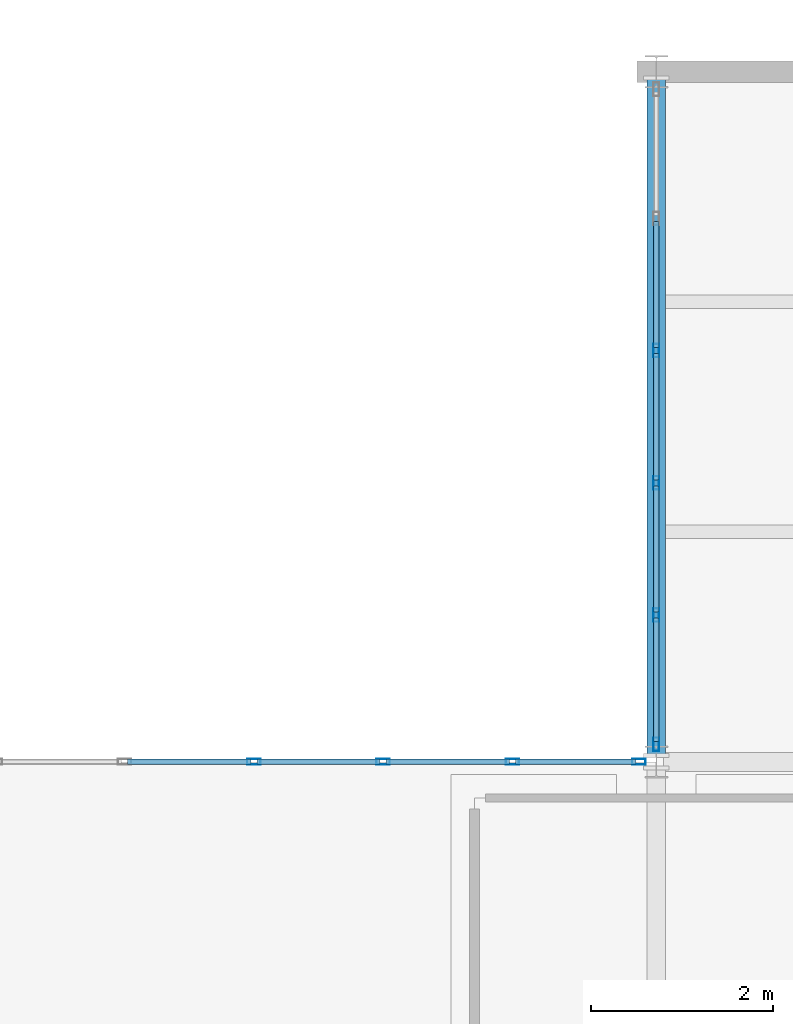
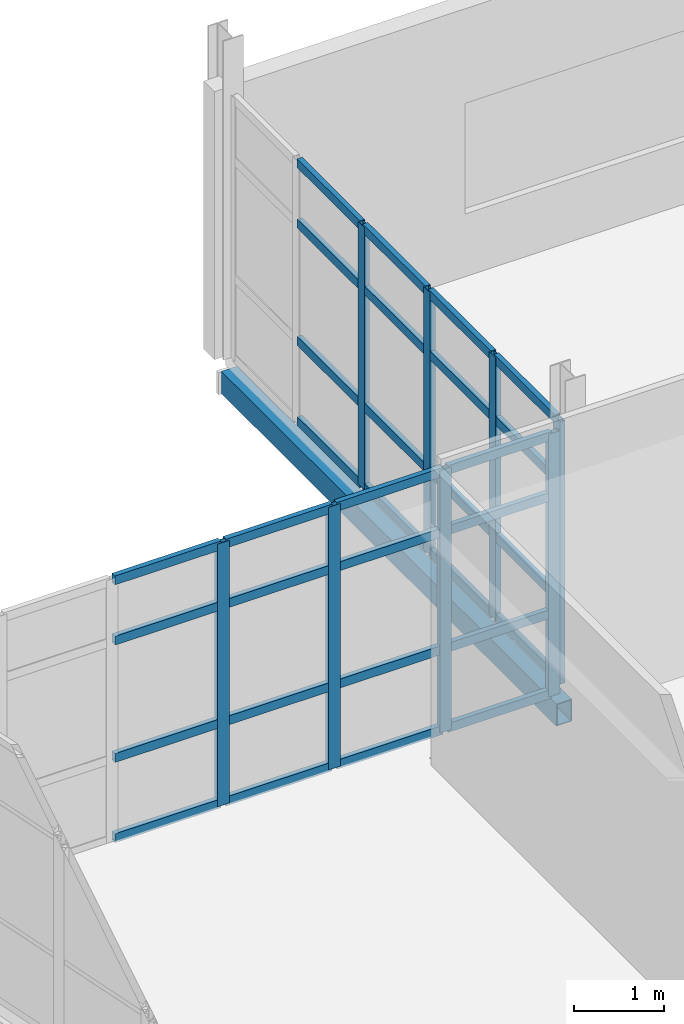
# One storey, part 107 of 174: 40 members, 1 beam, 2 elements without a shape of their own.
"""IFC4 building model written with IfcOpenShell, lengths in metres."""

from ifc_helpers import new_model, si_unit, direction, frame, origin, origin_2d, place, context, subcontext, project, spatial, hollow_rectangle, extrude, material, material_profile, profile_set, type_object, element, aggregate, save


model = new_model("IFC4")

# Units and contexts
model_context = context("Model", 3, precision=1e-05, world=origin(), true_north=direction((0.0, 1.0)))
body_context = subcontext(model_context, "Body", "Model", "MODEL_VIEW")
ifc_project = project(units=[si_unit("LENGTHUNIT", "METRE"), si_unit("AREAUNIT", "SQUARE_METRE"), si_unit("VOLUMEUNIT", "CUBIC_METRE"), si_unit("PLANEANGLEUNIT", "RADIAN"), si_unit("MASSUNIT", "GRAM", prefix="KILO")], contexts=[model_context])

# Site, building, storey
site_placement = place(None, origin())
site = spatial("IfcSite", under=ifc_project, at=site_placement, CompositionType="ELEMENT")
building_placement = place(site_placement, origin())
building = spatial("IfcBuilding", under=site, at=building_placement, Name="Caisbarro Railhouse Central Library", CompositionType="ELEMENT")
storey_placement = place(building_placement, frame((0.0, 0.0, 5.0400390625)))
storey = spatial("IfcBuildingStorey", under=building, at=storey_placement, Name="L01", CompositionType="ELEMENT", Elevation=5.0400390625)

# Beam
ifc_material_1 = material(Name="Steel ASTM A572 Grade 50", Category="steel")
ifc_material_profile_1 = material_profile(ifc_material_1, hollow_rectangle(XDim=0.199951171875, YDim=0.300048828125, WallThickness=0.012451171875, at=origin_2d()), Name="HSS300X200X12.5")
ifc_profile_set_1 = profile_set([ifc_material_profile_1], Name="Steel ASTM A572 Grade 50")
beam_type = type_object("IfcBeamType", Name="BM-SP02", PredefinedType="SPANDREL", material=ifc_profile_set_1)
beam_placement = place(storey_placement, frame((117.0, 106.47998046875, -0.3701171875), z_axis=(0.0, 1.0, 0.0), x_axis=(-1.0, 0.0, 0.0)))
element("IfcBeam", 1, at=beam_placement, inside=storey, type_object=beam_type, Name="SP02 beam L01 #937", PredefinedType="SPANDREL", context=body_context, shape_type="SweptSolid", body=[
    extrude(hollow_rectangle(XDim=0.199951171875, YDim=0.300048828125, WallThickness=0.012451171875, at=origin_2d()), origin(), (0.0, 0.0, 1.0), 7.43994140625),
])

# Curtain wall, members
ifc_material_2 = material(Name="Anodised architectural aluminium", Category="aluminium")
curtain_wall_type = type_object("IfcCurtainWallType", Name="CW-CW03", PredefinedType="NOTDEFINED", material=ifc_material_2)
curtain_wall_1_placement = place(storey_placement, origin())
curtain_wall_1 = element("IfcCurtainWall", 2, at=curtain_wall_1_placement, inside=storey, type_object=curtain_wall_type, Name="CW03 curtain wall L01 #115", PredefinedType="NOTDEFINED")
ifc_material_profile_2 = material_profile(ifc_material_2, hollow_rectangle(XDim=0.06494140625, YDim=0.14990234375, WallThickness=0.00390625, at=origin_2d()), Name="ALU-MUL-65X150")
ifc_profile_set_2 = profile_set([ifc_material_profile_2], Name="Anodised architectural aluminium")
member_type_1 = type_object("IfcMemberType", Name="CWM-M02", PredefinedType="MULLION", material=ifc_profile_set_2)
member_1_placement = place(storey_placement, frame((112.568115234375, 106.39990234375, 0.0), z_axis=(0.0, 0.0, 1.0), x_axis=(0.0, 1.0, 0.0)))
member_1 = element("IfcMember", 3, at=member_1_placement, type_object=member_type_1, Name="CW03 mullion 4", PredefinedType="MULLION", context=body_context, shape_type="SweptSolid", body=[
    extrude(hollow_rectangle(XDim=0.06494140625, YDim=0.14990234375, WallThickness=0.00390625, at=origin_2d()), origin(), (0.0, 0.0, 1.0), 3.56005859375),
])
member_2_placement = place(storey_placement, frame((113.991943359375, 106.39990234375, 0.0), z_axis=(0.0, 0.0, 1.0), x_axis=(0.0, 1.0, 0.0)))
member_2 = element("IfcMember", 4, at=member_2_placement, type_object=member_type_1, Name="CW03 mullion 5", PredefinedType="MULLION", context=body_context, shape_type="SweptSolid", body=[
    extrude(hollow_rectangle(XDim=0.06494140625, YDim=0.14990234375, WallThickness=0.00390625, at=origin_2d()), origin(), (0.0, 0.0, 1.0), 3.56005859375),
])
member_3_placement = place(storey_placement, frame((115.416015625, 106.39990234375, 0.0), z_axis=(0.0, 0.0, 1.0), x_axis=(0.0, 1.0, 0.0)))
member_3 = element("IfcMember", 5, at=member_3_placement, type_object=member_type_1, Name="CW03 mullion 6", PredefinedType="MULLION", context=body_context, shape_type="SweptSolid", body=[
    extrude(hollow_rectangle(XDim=0.06494140625, YDim=0.14990234375, WallThickness=0.00390625, at=origin_2d()), origin(), (0.0, 0.0, 1.0), 3.56005859375),
])
member_4_placement = place(storey_placement, frame((116.8076171875, 106.39990234375, 0.0), z_axis=(0.0, 0.0, 1.0), x_axis=(0.0, 1.0, 0.0)))
member_4 = element("IfcMember", 6, at=member_4_placement, type_object=member_type_1, Name="CW03 mullion 7", PredefinedType="MULLION", context=body_context, shape_type="SweptSolid", body=[
    extrude(hollow_rectangle(XDim=0.06494140625, YDim=0.14990234375, WallThickness=0.00390625, at=origin_2d()), origin(), (0.0, 0.0, 1.0), 3.56005859375),
])

curtain_wall_2_placement = place(storey_placement, origin())
curtain_wall_2 = element("IfcCurtainWall", 7, at=curtain_wall_2_placement, inside=storey, type_object=curtain_wall_type, Name="CW03 curtain wall L01 #116", PredefinedType="NOTDEFINED")
member_5_placement = place(storey_placement, frame((117.0, 106.592529296875, 0.0), z_axis=(0.0, 0.0, 1.0), x_axis=(-1.0, 0.0, 0.0)))
member_5 = element("IfcMember", 8, at=member_5_placement, type_object=member_type_1, Name="CW03 mullion 1", PredefinedType="MULLION", context=body_context, shape_type="SweptSolid", body=[
    extrude(hollow_rectangle(XDim=0.06494140625, YDim=0.14990234375, WallThickness=0.00390625, at=origin_2d()), origin(), (0.0, 0.0, 1.0), 3.56005859375),
])
member_6_placement = place(storey_placement, frame((117.0, 108.01611328125, 0.0), z_axis=(0.0, 0.0, 1.0), x_axis=(-1.0, 0.0, 0.0)))
member_6 = element("IfcMember", 9, at=member_6_placement, type_object=member_type_1, Name="CW03 mullion 2", PredefinedType="MULLION", context=body_context, shape_type="SweptSolid", body=[
    extrude(hollow_rectangle(XDim=0.06494140625, YDim=0.14990234375, WallThickness=0.00390625, at=origin_2d()), origin(), (0.0, 0.0, 1.0), 3.56005859375),
])
member_7_placement = place(storey_placement, frame((117.0, 109.471923828125, 0.0), z_axis=(0.0, 0.0, 1.0), x_axis=(-1.0, 0.0, 0.0)))
member_7 = element("IfcMember", 10, at=member_7_placement, type_object=member_type_1, Name="CW03 mullion 3", PredefinedType="MULLION", context=body_context, shape_type="SweptSolid", body=[
    extrude(hollow_rectangle(XDim=0.06494140625, YDim=0.14990234375, WallThickness=0.00390625, at=origin_2d()), origin(), (0.0, 0.0, 1.0), 3.56005859375),
])
member_8_placement = place(storey_placement, frame((117.0, 110.927978515625, 0.0), z_axis=(0.0, 0.0, 1.0), x_axis=(-1.0, 0.0, 0.0)))
member_8 = element("IfcMember", 11, at=member_8_placement, type_object=member_type_1, Name="CW03 mullion 4", PredefinedType="MULLION", context=body_context, shape_type="SweptSolid", body=[
    extrude(hollow_rectangle(XDim=0.06494140625, YDim=0.14990234375, WallThickness=0.00390625, at=origin_2d()), origin(), (0.0, 0.0, 1.0), 3.56005859375),
])

# Member
ifc_material_profile_3 = material_profile(ifc_material_2, hollow_rectangle(XDim=0.06494140625, YDim=0.1201171875, WallThickness=0.00341796875, at=origin_2d()), Name="ALU-TRN-65X120")
ifc_profile_set_3 = profile_set([ifc_material_profile_3], Name="Anodised architectural aluminium")
member_type_2 = type_object("IfcMemberType", Name="CWT-T02", PredefinedType="USERDEFINED", material=ifc_profile_set_3)
member_9_placement = place(storey_placement, frame((111.176513671875, 106.39990234375, 0.032470703125), z_axis=(1.0, 0.0, 0.0), x_axis=(0.0, 1.0, 0.0)))
member_9 = element("IfcMember", 12, at=member_9_placement, type_object=member_type_2, Name="CW03 transom 3.1", ObjectType="TRANSOM", PredefinedType="USERDEFINED", context=body_context, shape_type="SweptSolid", body=[
    extrude(hollow_rectangle(XDim=0.06494140625, YDim=0.1201171875, WallThickness=0.00341796875, at=origin_2d()), origin(), (0.0, 0.0, 1.0), 1.35888671875),
])

member_10_placement = place(storey_placement, frame((111.176513671875, 106.39990234375, 1.119873046875), z_axis=(1.0, 0.0, 0.0), x_axis=(0.0, 1.0, 0.0)))
member_10 = element("IfcMember", 13, at=member_10_placement, type_object=member_type_2, Name="CW03 transom 3.2", ObjectType="TRANSOM", PredefinedType="USERDEFINED", context=body_context, shape_type="SweptSolid", body=[
    extrude(hollow_rectangle(XDim=0.06494140625, YDim=0.1201171875, WallThickness=0.00341796875, at=origin_2d()), origin(), (0.0, 0.0, 1.0), 1.35888671875),
])

member_11_placement = place(storey_placement, frame((111.176513671875, 106.39990234375, 2.7099609375), z_axis=(1.0, 0.0, 0.0), x_axis=(0.0, 1.0, 0.0)))
member_11 = element("IfcMember", 14, at=member_11_placement, type_object=member_type_2, Name="CW03 transom 3.3", ObjectType="TRANSOM", PredefinedType="USERDEFINED", context=body_context, shape_type="SweptSolid", body=[
    extrude(hollow_rectangle(XDim=0.06494140625, YDim=0.1201171875, WallThickness=0.00341796875, at=origin_2d()), origin(), (0.0, 0.0, 1.0), 1.35888671875),
])

member_12_placement = place(storey_placement, frame((111.176513671875, 106.39990234375, 3.52734375), z_axis=(1.0, 0.0, 0.0), x_axis=(0.0, 1.0, 0.0)))
member_12 = element("IfcMember", 15, at=member_12_placement, type_object=member_type_2, Name="CW03 transom 3.4", ObjectType="TRANSOM", PredefinedType="USERDEFINED", context=body_context, shape_type="SweptSolid", body=[
    extrude(hollow_rectangle(XDim=0.06494140625, YDim=0.1201171875, WallThickness=0.00341796875, at=origin_2d()), origin(), (0.0, 0.0, 1.0), 1.35888671875),
])

member_13_placement = place(storey_placement, frame((112.6005859375, 106.39990234375, 0.032470703125), z_axis=(1.0, 0.0, 0.0), x_axis=(0.0, 1.0, 0.0)))
member_13 = element("IfcMember", 16, at=member_13_placement, type_object=member_type_2, Name="CW03 transom 4.1", ObjectType="TRANSOM", PredefinedType="USERDEFINED", context=body_context, shape_type="SweptSolid", body=[
    extrude(hollow_rectangle(XDim=0.06494140625, YDim=0.1201171875, WallThickness=0.00341796875, at=origin_2d()), origin(), (0.0, 0.0, 1.0), 1.35888671875),
])

member_14_placement = place(storey_placement, frame((112.6005859375, 106.39990234375, 1.119873046875), z_axis=(1.0, 0.0, 0.0), x_axis=(0.0, 1.0, 0.0)))
member_14 = element("IfcMember", 17, at=member_14_placement, type_object=member_type_2, Name="CW03 transom 4.2", ObjectType="TRANSOM", PredefinedType="USERDEFINED", context=body_context, shape_type="SweptSolid", body=[
    extrude(hollow_rectangle(XDim=0.06494140625, YDim=0.1201171875, WallThickness=0.00341796875, at=origin_2d()), origin(), (0.0, 0.0, 1.0), 1.35888671875),
])

member_15_placement = place(storey_placement, frame((112.6005859375, 106.39990234375, 2.7099609375), z_axis=(1.0, 0.0, 0.0), x_axis=(0.0, 1.0, 0.0)))
member_15 = element("IfcMember", 18, at=member_15_placement, type_object=member_type_2, Name="CW03 transom 4.3", ObjectType="TRANSOM", PredefinedType="USERDEFINED", context=body_context, shape_type="SweptSolid", body=[
    extrude(hollow_rectangle(XDim=0.06494140625, YDim=0.1201171875, WallThickness=0.00341796875, at=origin_2d()), origin(), (0.0, 0.0, 1.0), 1.35888671875),
])

member_16_placement = place(storey_placement, frame((112.6005859375, 106.39990234375, 3.52734375), z_axis=(1.0, 0.0, 0.0), x_axis=(0.0, 1.0, 0.0)))
member_16 = element("IfcMember", 19, at=member_16_placement, type_object=member_type_2, Name="CW03 transom 4.4", ObjectType="TRANSOM", PredefinedType="USERDEFINED", context=body_context, shape_type="SweptSolid", body=[
    extrude(hollow_rectangle(XDim=0.06494140625, YDim=0.1201171875, WallThickness=0.00341796875, at=origin_2d()), origin(), (0.0, 0.0, 1.0), 1.35888671875),
])

member_17_placement = place(storey_placement, frame((114.0244140625, 106.39990234375, 0.032470703125), z_axis=(1.0, 0.0, 0.0), x_axis=(0.0, 1.0, 0.0)))
member_17 = element("IfcMember", 20, at=member_17_placement, type_object=member_type_2, Name="CW03 transom 5.1", ObjectType="TRANSOM", PredefinedType="USERDEFINED", context=body_context, shape_type="SweptSolid", body=[
    extrude(hollow_rectangle(XDim=0.06494140625, YDim=0.1201171875, WallThickness=0.00341796875, at=origin_2d()), origin(), (0.0, 0.0, 1.0), 1.359130859375),
])

member_18_placement = place(storey_placement, frame((114.0244140625, 106.39990234375, 1.119873046875), z_axis=(1.0, 0.0, 0.0), x_axis=(0.0, 1.0, 0.0)))
member_18 = element("IfcMember", 21, at=member_18_placement, type_object=member_type_2, Name="CW03 transom 5.2", ObjectType="TRANSOM", PredefinedType="USERDEFINED", context=body_context, shape_type="SweptSolid", body=[
    extrude(hollow_rectangle(XDim=0.06494140625, YDim=0.1201171875, WallThickness=0.00341796875, at=origin_2d()), origin(), (0.0, 0.0, 1.0), 1.359130859375),
])

member_19_placement = place(storey_placement, frame((114.0244140625, 106.39990234375, 2.7099609375), z_axis=(1.0, 0.0, 0.0), x_axis=(0.0, 1.0, 0.0)))
member_19 = element("IfcMember", 22, at=member_19_placement, type_object=member_type_2, Name="CW03 transom 5.3", ObjectType="TRANSOM", PredefinedType="USERDEFINED", context=body_context, shape_type="SweptSolid", body=[
    extrude(hollow_rectangle(XDim=0.06494140625, YDim=0.1201171875, WallThickness=0.00341796875, at=origin_2d()), origin(), (0.0, 0.0, 1.0), 1.359130859375),
])

member_20_placement = place(storey_placement, frame((114.0244140625, 106.39990234375, 3.52734375), z_axis=(1.0, 0.0, 0.0), x_axis=(0.0, 1.0, 0.0)))
member_20 = element("IfcMember", 23, at=member_20_placement, type_object=member_type_2, Name="CW03 transom 5.4", ObjectType="TRANSOM", PredefinedType="USERDEFINED", context=body_context, shape_type="SweptSolid", body=[
    extrude(hollow_rectangle(XDim=0.06494140625, YDim=0.1201171875, WallThickness=0.00341796875, at=origin_2d()), origin(), (0.0, 0.0, 1.0), 1.359130859375),
])

member_21_placement = place(storey_placement, frame((115.448486328125, 106.39990234375, 0.032470703125), z_axis=(1.0, 0.0, 0.0), x_axis=(0.0, 1.0, 0.0)))
member_21 = element("IfcMember", 24, at=member_21_placement, type_object=member_type_2, Name="CW03 transom 6.1", ObjectType="TRANSOM", PredefinedType="USERDEFINED", context=body_context, shape_type="SweptSolid", body=[
    extrude(hollow_rectangle(XDim=0.06494140625, YDim=0.1201171875, WallThickness=0.00341796875, at=origin_2d()), origin(), (0.0, 0.0, 1.0), 1.326416015625),
])

member_22_placement = place(storey_placement, frame((115.448486328125, 106.39990234375, 1.119873046875), z_axis=(1.0, 0.0, 0.0), x_axis=(0.0, 1.0, 0.0)))
member_22 = element("IfcMember", 25, at=member_22_placement, type_object=member_type_2, Name="CW03 transom 6.2", ObjectType="TRANSOM", PredefinedType="USERDEFINED", context=body_context, shape_type="SweptSolid", body=[
    extrude(hollow_rectangle(XDim=0.06494140625, YDim=0.1201171875, WallThickness=0.00341796875, at=origin_2d()), origin(), (0.0, 0.0, 1.0), 1.326416015625),
])

member_23_placement = place(storey_placement, frame((115.448486328125, 106.39990234375, 2.7099609375), z_axis=(1.0, 0.0, 0.0), x_axis=(0.0, 1.0, 0.0)))
member_23 = element("IfcMember", 26, at=member_23_placement, type_object=member_type_2, Name="CW03 transom 6.3", ObjectType="TRANSOM", PredefinedType="USERDEFINED", context=body_context, shape_type="SweptSolid", body=[
    extrude(hollow_rectangle(XDim=0.06494140625, YDim=0.1201171875, WallThickness=0.00341796875, at=origin_2d()), origin(), (0.0, 0.0, 1.0), 1.326416015625),
])

member_24_placement = place(storey_placement, frame((115.448486328125, 106.39990234375, 3.52734375), z_axis=(1.0, 0.0, 0.0), x_axis=(0.0, 1.0, 0.0)))
member_24 = element("IfcMember", 27, at=member_24_placement, type_object=member_type_2, Name="CW03 transom 6.4", ObjectType="TRANSOM", PredefinedType="USERDEFINED", context=body_context, shape_type="SweptSolid", body=[
    extrude(hollow_rectangle(XDim=0.06494140625, YDim=0.1201171875, WallThickness=0.00341796875, at=origin_2d()), origin(), (0.0, 0.0, 1.0), 1.326416015625),
])

aggregate(curtain_wall_1, [member_1, member_2, member_3, member_4, member_9, member_10, member_11, member_12, member_13, member_14, member_15, member_16, member_17, member_18, member_19, member_20, member_21, member_22, member_23, member_24])

member_25_placement = place(storey_placement, frame((117.0, 106.625, 0.032470703125), z_axis=(0.0, 1.0, 0.0), x_axis=(-1.0, 0.0, 0.0)))
member_25 = element("IfcMember", 28, at=member_25_placement, type_object=member_type_2, Name="CW03 transom 1.1", ObjectType="TRANSOM", PredefinedType="USERDEFINED", context=body_context, shape_type="SweptSolid", body=[
    extrude(hollow_rectangle(XDim=0.06494140625, YDim=0.1201171875, WallThickness=0.00341796875, at=origin_2d()), origin(), (0.0, 0.0, 1.0), 1.3583984375),
])

member_26_placement = place(storey_placement, frame((117.0, 106.625, 1.119873046875), z_axis=(0.0, 1.0, 0.0), x_axis=(-1.0, 0.0, 0.0)))
member_26 = element("IfcMember", 29, at=member_26_placement, type_object=member_type_2, Name="CW03 transom 1.2", ObjectType="TRANSOM", PredefinedType="USERDEFINED", context=body_context, shape_type="SweptSolid", body=[
    extrude(hollow_rectangle(XDim=0.06494140625, YDim=0.1201171875, WallThickness=0.00341796875, at=origin_2d()), origin(), (0.0, 0.0, 1.0), 1.3583984375),
])

member_27_placement = place(storey_placement, frame((117.0, 106.625, 2.7099609375), z_axis=(0.0, 1.0, 0.0), x_axis=(-1.0, 0.0, 0.0)))
member_27 = element("IfcMember", 30, at=member_27_placement, type_object=member_type_2, Name="CW03 transom 1.3", ObjectType="TRANSOM", PredefinedType="USERDEFINED", context=body_context, shape_type="SweptSolid", body=[
    extrude(hollow_rectangle(XDim=0.06494140625, YDim=0.1201171875, WallThickness=0.00341796875, at=origin_2d()), origin(), (0.0, 0.0, 1.0), 1.3583984375),
])

member_28_placement = place(storey_placement, frame((117.0, 106.625, 3.52734375), z_axis=(0.0, 1.0, 0.0), x_axis=(-1.0, 0.0, 0.0)))
member_28 = element("IfcMember", 31, at=member_28_placement, type_object=member_type_2, Name="CW03 transom 1.4", ObjectType="TRANSOM", PredefinedType="USERDEFINED", context=body_context, shape_type="SweptSolid", body=[
    extrude(hollow_rectangle(XDim=0.06494140625, YDim=0.1201171875, WallThickness=0.00341796875, at=origin_2d()), origin(), (0.0, 0.0, 1.0), 1.3583984375),
])

member_29_placement = place(storey_placement, frame((117.0, 108.048583984375, 0.032470703125), z_axis=(0.0, 1.0, 0.0), x_axis=(-1.0, 0.0, 0.0)))
member_29 = element("IfcMember", 32, at=member_29_placement, type_object=member_type_2, Name="CW03 transom 2.1", ObjectType="TRANSOM", PredefinedType="USERDEFINED", context=body_context, shape_type="SweptSolid", body=[
    extrude(hollow_rectangle(XDim=0.06494140625, YDim=0.1201171875, WallThickness=0.00341796875, at=origin_2d()), origin(), (0.0, 0.0, 1.0), 1.390869140625),
])

member_30_placement = place(storey_placement, frame((117.0, 108.048583984375, 1.119873046875), z_axis=(0.0, 1.0, 0.0), x_axis=(-1.0, 0.0, 0.0)))
member_30 = element("IfcMember", 33, at=member_30_placement, type_object=member_type_2, Name="CW03 transom 2.2", ObjectType="TRANSOM", PredefinedType="USERDEFINED", context=body_context, shape_type="SweptSolid", body=[
    extrude(hollow_rectangle(XDim=0.06494140625, YDim=0.1201171875, WallThickness=0.00341796875, at=origin_2d()), origin(), (0.0, 0.0, 1.0), 1.390869140625),
])

member_31_placement = place(storey_placement, frame((117.0, 108.048583984375, 2.7099609375), z_axis=(0.0, 1.0, 0.0), x_axis=(-1.0, 0.0, 0.0)))
member_31 = element("IfcMember", 34, at=member_31_placement, type_object=member_type_2, Name="CW03 transom 2.3", ObjectType="TRANSOM", PredefinedType="USERDEFINED", context=body_context, shape_type="SweptSolid", body=[
    extrude(hollow_rectangle(XDim=0.06494140625, YDim=0.1201171875, WallThickness=0.00341796875, at=origin_2d()), origin(), (0.0, 0.0, 1.0), 1.390869140625),
])

member_32_placement = place(storey_placement, frame((117.0, 108.048583984375, 3.52734375), z_axis=(0.0, 1.0, 0.0), x_axis=(-1.0, 0.0, 0.0)))
member_32 = element("IfcMember", 35, at=member_32_placement, type_object=member_type_2, Name="CW03 transom 2.4", ObjectType="TRANSOM", PredefinedType="USERDEFINED", context=body_context, shape_type="SweptSolid", body=[
    extrude(hollow_rectangle(XDim=0.06494140625, YDim=0.1201171875, WallThickness=0.00341796875, at=origin_2d()), origin(), (0.0, 0.0, 1.0), 1.390869140625),
])

member_33_placement = place(storey_placement, frame((117.0, 109.50439453125, 0.032470703125), z_axis=(0.0, 1.0, 0.0), x_axis=(-1.0, 0.0, 0.0)))
member_33 = element("IfcMember", 36, at=member_33_placement, type_object=member_type_2, Name="CW03 transom 3.1", ObjectType="TRANSOM", PredefinedType="USERDEFINED", context=body_context, shape_type="SweptSolid", body=[
    extrude(hollow_rectangle(XDim=0.06494140625, YDim=0.1201171875, WallThickness=0.00341796875, at=origin_2d()), origin(), (0.0, 0.0, 1.0), 1.39111328125),
])

member_34_placement = place(storey_placement, frame((117.0, 109.50439453125, 1.119873046875), z_axis=(0.0, 1.0, 0.0), x_axis=(-1.0, 0.0, 0.0)))
member_34 = element("IfcMember", 37, at=member_34_placement, type_object=member_type_2, Name="CW03 transom 3.2", ObjectType="TRANSOM", PredefinedType="USERDEFINED", context=body_context, shape_type="SweptSolid", body=[
    extrude(hollow_rectangle(XDim=0.06494140625, YDim=0.1201171875, WallThickness=0.00341796875, at=origin_2d()), origin(), (0.0, 0.0, 1.0), 1.39111328125),
])

member_35_placement = place(storey_placement, frame((117.0, 109.50439453125, 2.7099609375), z_axis=(0.0, 1.0, 0.0), x_axis=(-1.0, 0.0, 0.0)))
member_35 = element("IfcMember", 38, at=member_35_placement, type_object=member_type_2, Name="CW03 transom 3.3", ObjectType="TRANSOM", PredefinedType="USERDEFINED", context=body_context, shape_type="SweptSolid", body=[
    extrude(hollow_rectangle(XDim=0.06494140625, YDim=0.1201171875, WallThickness=0.00341796875, at=origin_2d()), origin(), (0.0, 0.0, 1.0), 1.39111328125),
])

member_36_placement = place(storey_placement, frame((117.0, 109.50439453125, 3.52734375), z_axis=(0.0, 1.0, 0.0), x_axis=(-1.0, 0.0, 0.0)))
member_36 = element("IfcMember", 39, at=member_36_placement, type_object=member_type_2, Name="CW03 transom 3.4", ObjectType="TRANSOM", PredefinedType="USERDEFINED", context=body_context, shape_type="SweptSolid", body=[
    extrude(hollow_rectangle(XDim=0.06494140625, YDim=0.1201171875, WallThickness=0.00341796875, at=origin_2d()), origin(), (0.0, 0.0, 1.0), 1.39111328125),
])

member_37_placement = place(storey_placement, frame((117.0, 110.96044921875, 0.032470703125), z_axis=(0.0, 1.0, 0.0), x_axis=(-1.0, 0.0, 0.0)))
member_37 = element("IfcMember", 40, at=member_37_placement, type_object=member_type_2, Name="CW03 transom 4.1", ObjectType="TRANSOM", PredefinedType="USERDEFINED", context=body_context, shape_type="SweptSolid", body=[
    extrude(hollow_rectangle(XDim=0.06494140625, YDim=0.1201171875, WallThickness=0.00341796875, at=origin_2d()), origin(), (0.0, 0.0, 1.0), 1.39111328125),
])

member_38_placement = place(storey_placement, frame((117.0, 110.96044921875, 1.119873046875), z_axis=(0.0, 1.0, 0.0), x_axis=(-1.0, 0.0, 0.0)))
member_38 = element("IfcMember", 41, at=member_38_placement, type_object=member_type_2, Name="CW03 transom 4.2", ObjectType="TRANSOM", PredefinedType="USERDEFINED", context=body_context, shape_type="SweptSolid", body=[
    extrude(hollow_rectangle(XDim=0.06494140625, YDim=0.1201171875, WallThickness=0.00341796875, at=origin_2d()), origin(), (0.0, 0.0, 1.0), 1.39111328125),
])

member_39_placement = place(storey_placement, frame((117.0, 110.96044921875, 2.7099609375), z_axis=(0.0, 1.0, 0.0), x_axis=(-1.0, 0.0, 0.0)))
member_39 = element("IfcMember", 42, at=member_39_placement, type_object=member_type_2, Name="CW03 transom 4.3", ObjectType="TRANSOM", PredefinedType="USERDEFINED", context=body_context, shape_type="SweptSolid", body=[
    extrude(hollow_rectangle(XDim=0.06494140625, YDim=0.1201171875, WallThickness=0.00341796875, at=origin_2d()), origin(), (0.0, 0.0, 1.0), 1.39111328125),
])

member_40_placement = place(storey_placement, frame((117.0, 110.96044921875, 3.52734375), z_axis=(0.0, 1.0, 0.0), x_axis=(-1.0, 0.0, 0.0)))
member_40 = element("IfcMember", 43, at=member_40_placement, type_object=member_type_2, Name="CW03 transom 4.4", ObjectType="TRANSOM", PredefinedType="USERDEFINED", context=body_context, shape_type="SweptSolid", body=[
    extrude(hollow_rectangle(XDim=0.06494140625, YDim=0.1201171875, WallThickness=0.00341796875, at=origin_2d()), origin(), (0.0, 0.0, 1.0), 1.39111328125),
])

aggregate(curtain_wall_2, [member_5, member_6, member_7, member_8, member_25, member_26, member_27, member_28, member_29, member_30, member_31, member_32, member_33, member_34, member_35, member_36, member_37, member_38, member_39, member_40])

save(model, "model.ifc")
